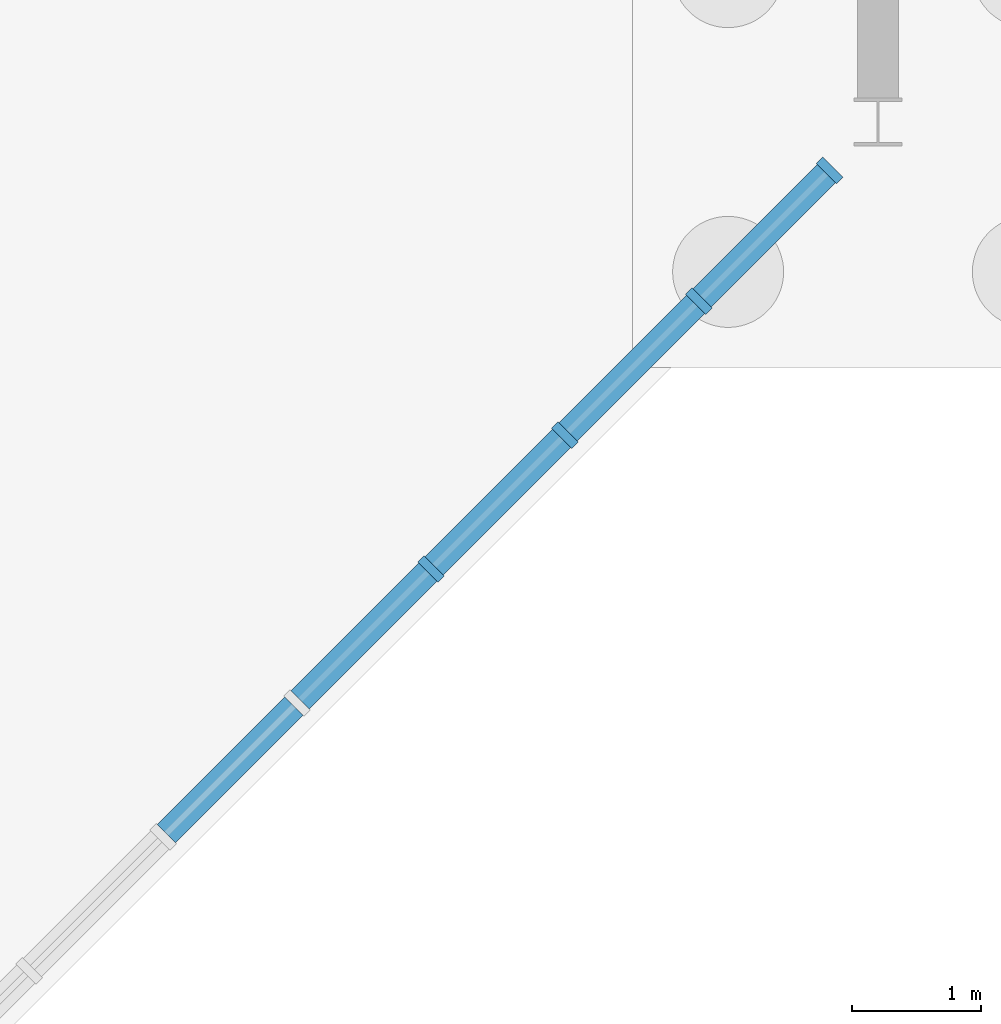
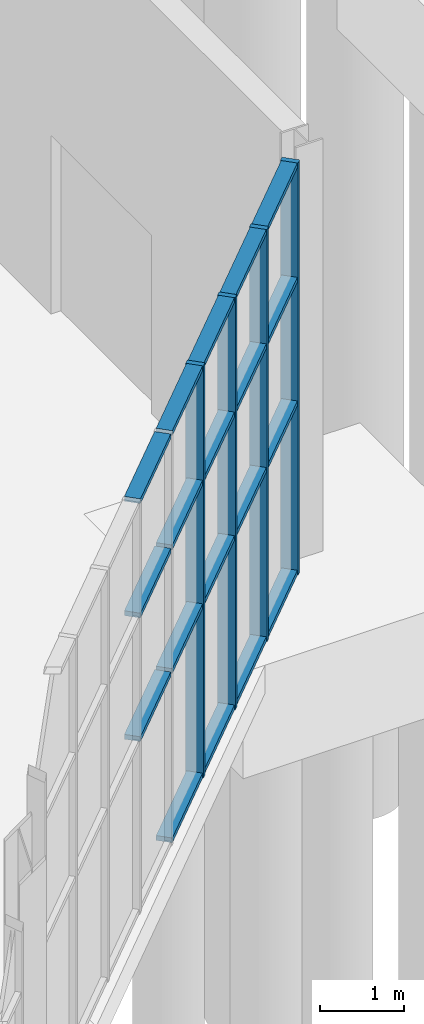
# One storey, part 38 of 131: 23 members, 1 element without a shape of its own.
"""IFC4 building model written with IfcOpenShell, lengths in metres."""

from ifc_helpers import new_model, si_unit, direction, frame, origin, origin_2d, place, context, subcontext, project, spatial, rectangle, extrude, material, layer, layer_set, material_profile, profile_set, type_object, element, aggregate, save


model = new_model("IFC4")

# Units and contexts
model_context = context("Model", 3, precision=1e-05, world=origin(), true_north=direction((0.0, 1.0)))
body_context = subcontext(model_context, "Body", "Model", "MODEL_VIEW")
ifc_project = project(units=[si_unit("LENGTHUNIT", "METRE"), si_unit("AREAUNIT", "SQUARE_METRE"), si_unit("VOLUMEUNIT", "CUBIC_METRE"), si_unit("PLANEANGLEUNIT", "RADIAN"), si_unit("MASSUNIT", "GRAM", prefix="KILO")], contexts=[model_context])

# Site, building, storey
site_placement = place(None, origin())
site = spatial("IfcSite", under=ifc_project, at=site_placement, CompositionType="ELEMENT")
building_placement = place(site_placement, origin())
building = spatial("IfcBuilding", under=site, at=building_placement, Name="Cazmaro Siding Exhibition Halls", CompositionType="ELEMENT")
storey_placement = place(building_placement, origin())
storey = spatial("IfcBuildingStorey", under=building, at=storey_placement, Name="L00", CompositionType="ELEMENT", Elevation=0.0)

# Curtain wall, members
ifc_material_1 = material(Name="Anodized Bronze Aluminum and Solar-Control Low-E Glazing", Category="aluminium")
ifc_layer = layer(ifc_material_1, 0.219970703125)
ifc_layer_set = layer_set([ifc_layer], Name="Anodized Bronze Aluminum and Solar-Control Low-E Glazing")
curtain_wall_type = type_object("IfcCurtainWallType", Name="CWS-03", PredefinedType="USERDEFINED", material=ifc_layer_set)
curtain_wall_placement = place(storey_placement, origin())
curtain_wall = element("IfcCurtainWall", 1, at=curtain_wall_placement, inside=storey, type_object=curtain_wall_type, Name="Glazed Curtain Wall CWS-03 CW-214", ObjectType="GLAZED CURTAIN WALL", PredefinedType="USERDEFINED")
ifc_material_2 = material(Name="Anodized Bronze Extruded Aluminum", Category="aluminium")
ifc_material_profile_1 = material_profile(ifc_material_2, rectangle(XDim=0.219970703125, YDim=0.070068359375, at=origin_2d()), Name="CWM-03")
ifc_profile_set_1 = profile_set([ifc_material_profile_1], Name="Anodized Bronze Extruded Aluminum")
member_type_1 = type_object("IfcMemberType", Name="CWM-03", PredefinedType="MULLION", material=ifc_profile_set_1)
member_1_placement = place(storey_placement, frame((59.53759765625, 23.53759765625, 0.0), z_axis=(0.0, 0.0, 1.0), x_axis=(-0.707106781187, 0.707106781187, 0.0)))
member_1 = element("IfcMember", 2, at=member_1_placement, type_object=member_type_1, Name="CWS-03 mullion 6", PredefinedType="MULLION", context=body_context, shape_type="SweptSolid", body=[
    extrude(rectangle(XDim=0.219970703125, YDim=0.070068359375, at=origin_2d()), origin(), (0.0, 0.0, 1.0), 6.0),
])
member_2_placement = place(storey_placement, frame((60.574951171875, 24.574951171875, 0.0), z_axis=(0.0, 0.0, 1.0), x_axis=(-0.707106781187, 0.707106781187, 0.0)))
member_2 = element("IfcMember", 3, at=member_2_placement, type_object=member_type_1, Name="CWS-03 mullion 7", PredefinedType="MULLION", context=body_context, shape_type="SweptSolid", body=[
    extrude(rectangle(XDim=0.219970703125, YDim=0.070068359375, at=origin_2d()), origin(), (0.0, 0.0, 1.0), 6.0),
])
member_3_placement = place(storey_placement, frame((61.612548828125, 25.612548828125, 0.0), z_axis=(0.0, 0.0, 1.0), x_axis=(-0.707106781187, 0.707106781187, 0.0)))
member_3 = element("IfcMember", 4, at=member_3_placement, type_object=member_type_1, Name="CWS-03 mullion 8", PredefinedType="MULLION", context=body_context, shape_type="SweptSolid", body=[
    extrude(rectangle(XDim=0.219970703125, YDim=0.070068359375, at=origin_2d()), origin(), (0.0, 0.0, 1.0), 6.0),
])
member_4_placement = place(storey_placement, frame((62.625244140625, 26.625244140625, 0.0), z_axis=(0.0, 0.0, 1.0), x_axis=(-0.707106781187, 0.707106781187, 0.0)))
member_4 = element("IfcMember", 5, at=member_4_placement, type_object=member_type_1, Name="CWS-03 mullion 9", PredefinedType="MULLION", context=body_context, shape_type="SweptSolid", body=[
    extrude(rectangle(XDim=0.219970703125, YDim=0.070068359375, at=origin_2d()), origin(), (0.0, 0.0, 1.0), 6.0),
])
ifc_material_3 = material(Name="Anodized Bronze Extruded Aluminum", Category="aluminium")
ifc_material_profile_2 = material_profile(ifc_material_3, rectangle(XDim=0.199951171875, YDim=0.070068359375, at=origin_2d()), Name="CWT-03")
ifc_profile_set_2 = profile_set([ifc_material_profile_2], Name="Anodized Bronze Extruded Aluminum")
member_type_2 = type_object("IfcMemberType", Name="CWT-03", PredefinedType="MULLION", material=ifc_profile_set_2)
member_5_placement = place(storey_placement, frame((57.4873046875, 21.4873046875, 2.5), z_axis=(0.707106781187, 0.707106781187, 0.0), x_axis=(-0.707106781187, 0.707106781187, 0.0)))
member_5 = element("IfcMember", 6, at=member_5_placement, type_object=member_type_2, Name="CWS-03 transom 4.2", ObjectType="TRANSOM", PredefinedType="USERDEFINED", context=body_context, shape_type="SweptSolid", body=[
    extrude(rectangle(XDim=0.199951171875, YDim=0.070068359375, at=origin_2d()), origin(), (0.0, 0.0, 1.0), 1.397216796875),
])
member_6_placement = place(storey_placement, frame((57.4873046875, 21.4873046875, 4.300048828125), z_axis=(0.707106781187, 0.707106781187, 0.0), x_axis=(-0.707106781187, 0.707106781187, 0.0)))
member_6 = element("IfcMember", 7, at=member_6_placement, type_object=member_type_2, Name="CWS-03 transom 4.3", ObjectType="TRANSOM", PredefinedType="USERDEFINED", context=body_context, shape_type="SweptSolid", body=[
    extrude(rectangle(XDim=0.199951171875, YDim=0.070068359375, at=origin_2d()), origin(), (0.0, 0.0, 1.0), 1.397216796875),
])
member_7_placement = place(storey_placement, frame((57.4873046875, 21.4873046875, 5.965087890625), z_axis=(0.707106781187, 0.707106781187, 0.0), x_axis=(-0.707106781187, 0.707106781187, 0.0)))
member_7 = element("IfcMember", 8, at=member_7_placement, type_object=member_type_2, Name="CWS-03 transom 4.4", ObjectType="TRANSOM", PredefinedType="USERDEFINED", context=body_context, shape_type="SweptSolid", body=[
    extrude(rectangle(XDim=0.199951171875, YDim=0.070068359375, at=origin_2d()), origin(), (0.0, 0.0, 1.0), 1.397216796875),
])
member_8_placement = place(storey_placement, frame((58.524658203125, 22.524658203125, 0.034912109375), z_axis=(0.707106781187, 0.707106781187, 0.0), x_axis=(-0.707106781187, 0.707106781187, 0.0)))
member_8 = element("IfcMember", 9, at=member_8_placement, type_object=member_type_2, Name="CWS-03 transom 5.1", ObjectType="TRANSOM", PredefinedType="USERDEFINED", context=body_context, shape_type="SweptSolid", body=[
    extrude(rectangle(XDim=0.199951171875, YDim=0.070068359375, at=origin_2d()), origin(), (0.0, 0.0, 1.0), 1.397216796875),
])
member_9_placement = place(storey_placement, frame((58.524658203125, 22.524658203125, 2.5), z_axis=(0.707106781187, 0.707106781187, 0.0), x_axis=(-0.707106781187, 0.707106781187, 0.0)))
member_9 = element("IfcMember", 10, at=member_9_placement, type_object=member_type_2, Name="CWS-03 transom 5.2", ObjectType="TRANSOM", PredefinedType="USERDEFINED", context=body_context, shape_type="SweptSolid", body=[
    extrude(rectangle(XDim=0.199951171875, YDim=0.070068359375, at=origin_2d()), origin(), (0.0, 0.0, 1.0), 1.397216796875),
])
member_10_placement = place(storey_placement, frame((58.524658203125, 22.524658203125, 4.300048828125), z_axis=(0.707106781187, 0.707106781187, 0.0), x_axis=(-0.707106781187, 0.707106781187, 0.0)))
member_10 = element("IfcMember", 11, at=member_10_placement, type_object=member_type_2, Name="CWS-03 transom 5.3", ObjectType="TRANSOM", PredefinedType="USERDEFINED", context=body_context, shape_type="SweptSolid", body=[
    extrude(rectangle(XDim=0.199951171875, YDim=0.070068359375, at=origin_2d()), origin(), (0.0, 0.0, 1.0), 1.397216796875),
])
member_11_placement = place(storey_placement, frame((58.524658203125, 22.524658203125, 5.965087890625), z_axis=(0.707106781187, 0.707106781187, 0.0), x_axis=(-0.707106781187, 0.707106781187, 0.0)))
member_11 = element("IfcMember", 12, at=member_11_placement, type_object=member_type_2, Name="CWS-03 transom 5.4", ObjectType="TRANSOM", PredefinedType="USERDEFINED", context=body_context, shape_type="SweptSolid", body=[
    extrude(rectangle(XDim=0.199951171875, YDim=0.070068359375, at=origin_2d()), origin(), (0.0, 0.0, 1.0), 1.397216796875),
])
member_12_placement = place(storey_placement, frame((59.562255859375, 23.562255859375, 0.034912109375), z_axis=(0.707106781187, 0.707106781187, 0.0), x_axis=(-0.707106781187, 0.707106781187, 0.0)))
member_12 = element("IfcMember", 13, at=member_12_placement, type_object=member_type_2, Name="CWS-03 transom 6.1", ObjectType="TRANSOM", PredefinedType="USERDEFINED", context=body_context, shape_type="SweptSolid", body=[
    extrude(rectangle(XDim=0.199951171875, YDim=0.070068359375, at=origin_2d()), origin(), (0.0, 0.0, 1.0), 1.397216796875),
])
member_13_placement = place(storey_placement, frame((59.562255859375, 23.562255859375, 2.5), z_axis=(0.707106781187, 0.707106781187, 0.0), x_axis=(-0.707106781187, 0.707106781187, 0.0)))
member_13 = element("IfcMember", 14, at=member_13_placement, type_object=member_type_2, Name="CWS-03 transom 6.2", ObjectType="TRANSOM", PredefinedType="USERDEFINED", context=body_context, shape_type="SweptSolid", body=[
    extrude(rectangle(XDim=0.199951171875, YDim=0.070068359375, at=origin_2d()), origin(), (0.0, 0.0, 1.0), 1.397216796875),
])
member_14_placement = place(storey_placement, frame((59.562255859375, 23.562255859375, 4.300048828125), z_axis=(0.707106781187, 0.707106781187, 0.0), x_axis=(-0.707106781187, 0.707106781187, 0.0)))
member_14 = element("IfcMember", 15, at=member_14_placement, type_object=member_type_2, Name="CWS-03 transom 6.3", ObjectType="TRANSOM", PredefinedType="USERDEFINED", context=body_context, shape_type="SweptSolid", body=[
    extrude(rectangle(XDim=0.199951171875, YDim=0.070068359375, at=origin_2d()), origin(), (0.0, 0.0, 1.0), 1.397216796875),
])
member_15_placement = place(storey_placement, frame((59.562255859375, 23.562255859375, 5.965087890625), z_axis=(0.707106781187, 0.707106781187, 0.0), x_axis=(-0.707106781187, 0.707106781187, 0.0)))
member_15 = element("IfcMember", 16, at=member_15_placement, type_object=member_type_2, Name="CWS-03 transom 6.4", ObjectType="TRANSOM", PredefinedType="USERDEFINED", context=body_context, shape_type="SweptSolid", body=[
    extrude(rectangle(XDim=0.199951171875, YDim=0.070068359375, at=origin_2d()), origin(), (0.0, 0.0, 1.0), 1.397216796875),
])
member_16_placement = place(storey_placement, frame((60.599853515625, 24.599853515625, 0.034912109375), z_axis=(0.707106781187, 0.707106781187, 0.0), x_axis=(-0.707106781187, 0.707106781187, 0.0)))
member_16 = element("IfcMember", 17, at=member_16_placement, type_object=member_type_2, Name="CWS-03 transom 7.1", ObjectType="TRANSOM", PredefinedType="USERDEFINED", context=body_context, shape_type="SweptSolid", body=[
    extrude(rectangle(XDim=0.199951171875, YDim=0.070068359375, at=origin_2d()), origin(), (0.0, 0.0, 1.0), 1.39697265625),
])
member_17_placement = place(storey_placement, frame((60.599853515625, 24.599853515625, 2.5), z_axis=(0.707106781187, 0.707106781187, 0.0), x_axis=(-0.707106781187, 0.707106781187, 0.0)))
member_17 = element("IfcMember", 18, at=member_17_placement, type_object=member_type_2, Name="CWS-03 transom 7.2", ObjectType="TRANSOM", PredefinedType="USERDEFINED", context=body_context, shape_type="SweptSolid", body=[
    extrude(rectangle(XDim=0.199951171875, YDim=0.070068359375, at=origin_2d()), origin(), (0.0, 0.0, 1.0), 1.39697265625),
])
member_18_placement = place(storey_placement, frame((60.599853515625, 24.599853515625, 4.300048828125), z_axis=(0.707106781187, 0.707106781187, 0.0), x_axis=(-0.707106781187, 0.707106781187, 0.0)))
member_18 = element("IfcMember", 19, at=member_18_placement, type_object=member_type_2, Name="CWS-03 transom 7.3", ObjectType="TRANSOM", PredefinedType="USERDEFINED", context=body_context, shape_type="SweptSolid", body=[
    extrude(rectangle(XDim=0.199951171875, YDim=0.070068359375, at=origin_2d()), origin(), (0.0, 0.0, 1.0), 1.39697265625),
])
member_19_placement = place(storey_placement, frame((60.599853515625, 24.599853515625, 5.965087890625), z_axis=(0.707106781187, 0.707106781187, 0.0), x_axis=(-0.707106781187, 0.707106781187, 0.0)))
member_19 = element("IfcMember", 20, at=member_19_placement, type_object=member_type_2, Name="CWS-03 transom 7.4", ObjectType="TRANSOM", PredefinedType="USERDEFINED", context=body_context, shape_type="SweptSolid", body=[
    extrude(rectangle(XDim=0.199951171875, YDim=0.070068359375, at=origin_2d()), origin(), (0.0, 0.0, 1.0), 1.39697265625),
])
member_20_placement = place(storey_placement, frame((61.63720703125, 25.63720703125, 0.034912109375), z_axis=(0.707106781187, 0.707106781187, 0.0), x_axis=(-0.707106781187, 0.707106781187, 0.0)))
member_20 = element("IfcMember", 21, at=member_20_placement, type_object=member_type_2, Name="CWS-03 transom 8.1", ObjectType="TRANSOM", PredefinedType="USERDEFINED", context=body_context, shape_type="SweptSolid", body=[
    extrude(rectangle(XDim=0.199951171875, YDim=0.070068359375, at=origin_2d()), origin(), (0.0, 0.0, 1.0), 1.3623046875),
])
member_21_placement = place(storey_placement, frame((61.63720703125, 25.63720703125, 2.5), z_axis=(0.707106781187, 0.707106781187, 0.0), x_axis=(-0.707106781187, 0.707106781187, 0.0)))
member_21 = element("IfcMember", 22, at=member_21_placement, type_object=member_type_2, Name="CWS-03 transom 8.2", ObjectType="TRANSOM", PredefinedType="USERDEFINED", context=body_context, shape_type="SweptSolid", body=[
    extrude(rectangle(XDim=0.199951171875, YDim=0.070068359375, at=origin_2d()), origin(), (0.0, 0.0, 1.0), 1.3623046875),
])
member_22_placement = place(storey_placement, frame((61.63720703125, 25.63720703125, 4.300048828125), z_axis=(0.707106781187, 0.707106781187, 0.0), x_axis=(-0.707106781187, 0.707106781187, 0.0)))
member_22 = element("IfcMember", 23, at=member_22_placement, type_object=member_type_2, Name="CWS-03 transom 8.3", ObjectType="TRANSOM", PredefinedType="USERDEFINED", context=body_context, shape_type="SweptSolid", body=[
    extrude(rectangle(XDim=0.199951171875, YDim=0.070068359375, at=origin_2d()), origin(), (0.0, 0.0, 1.0), 1.3623046875),
])
member_23_placement = place(storey_placement, frame((61.63720703125, 25.63720703125, 5.965087890625), z_axis=(0.707106781187, 0.707106781187, 0.0), x_axis=(-0.707106781187, 0.707106781187, 0.0)))
member_23 = element("IfcMember", 24, at=member_23_placement, type_object=member_type_2, Name="CWS-03 transom 8.4", ObjectType="TRANSOM", PredefinedType="USERDEFINED", context=body_context, shape_type="SweptSolid", body=[
    extrude(rectangle(XDim=0.199951171875, YDim=0.070068359375, at=origin_2d()), origin(), (0.0, 0.0, 1.0), 1.3623046875),
])
aggregate(curtain_wall, [member_1, member_2, member_3, member_4, member_5, member_6, member_7, member_8, member_9, member_10, member_11, member_12, member_13, member_14, member_15, member_16, member_17, member_18, member_19, member_20, member_21, member_22, member_23])

save(model, "model.ifc")
